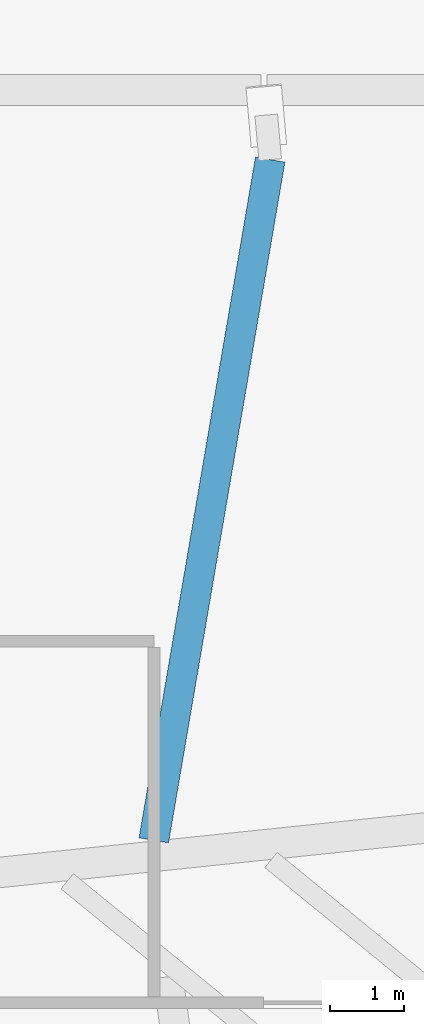
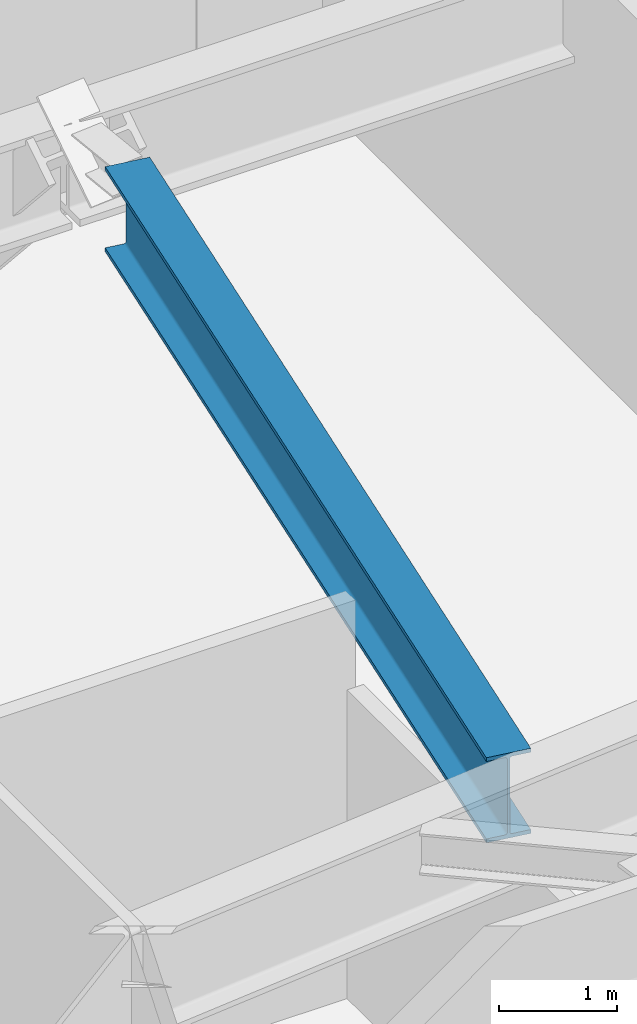
# One storey, part 9 of 29: 1 beam.
"""IFC4 building model written with IfcOpenShell, lengths in metres."""

from ifc_helpers import new_model, si_unit, direction, frame, origin, origin_2d, place, context, subcontext, project, spatial, i_section, extrude, source, transform, mapped, material, material_profile, profile_set, type_object, type_shapes, element, save


model = new_model("IFC4")

# Units and contexts
model_context = context("Model", 3, precision=1e-05, world=origin(), true_north=direction((0.0, 1.0)))
body_context = subcontext(model_context, "Body", "Model", "MODEL_VIEW")
ifc_project = project(units=[si_unit("LENGTHUNIT", "METRE"), si_unit("AREAUNIT", "SQUARE_METRE"), si_unit("VOLUMEUNIT", "CUBIC_METRE"), si_unit("PLANEANGLEUNIT", "RADIAN"), si_unit("MASSUNIT", "GRAM", prefix="KILO")], contexts=[model_context])

# Site, building, storey
site_placement = place(None, origin())
site = spatial("IfcSite", under=ifc_project, at=site_placement, CompositionType="ELEMENT")
building_placement = place(site_placement, origin())
building = spatial("IfcBuilding", under=site, at=building_placement, Name="Astriad Promenade Condominiums", CompositionType="ELEMENT")
storey_placement = place(building_placement, frame((0.0, 0.0, 18.5)))
storey = spatial("IfcBuildingStorey", under=building, at=storey_placement, Name="L04", CompositionType="ELEMENT", Elevation=18.5)

# Beam
ifc_material = material(Name="Steel ASTM A992 Grade 50", Category="steel")
ifc_material_profile = material_profile(ifc_material, i_section(OverallWidth=0.4013671875, OverallDepth=0.877197265625, WebThickness=0.022216796875, FlangeThickness=0.039794921875, FilletRadius=0.02294921875, at=origin_2d()), Name="W33X263")
ifc_profile_set = profile_set([ifc_material_profile], Name="Steel ASTM A992 Grade 50")
beam_type = type_object("IfcBeamType", Name="STEEL TRANSFER CARRIER GIRDER W33X263", PredefinedType="BEAM", material=ifc_profile_set)
shared_shape = source(origin(), body_context, "Body", "SweptSolid", [
    extrude(i_section(OverallWidth=0.4013671875, OverallDepth=0.877197265625, WebThickness=0.022216796875, FlangeThickness=0.039794921875, FilletRadius=0.02294921875, at=origin_2d()), origin(), (0.0, 0.0, 1.0), 9.283447265625),
])
type_shapes(beam_type, [shared_shape])
beam_placement = place(storey_placement, frame((19.57666015625, 16.903076171875, 3.641357421875), z_axis=(0.168572558784, 0.985689247392, 0.0), x_axis=(-0.985689247392, 0.168572558784, 0.0)))
element("IfcBeam", 1, at=beam_placement, inside=storey, type_object=beam_type, Name="Transfer Splice Carrier TRM-SP-PC07-L04", PredefinedType="BEAM", context=body_context, shape_type="MappedRepresentation", body=[
    mapped(shared_shape, transform((0.0, 0.0, 0.0), scale=1.0)),
])

save(model, "model.ifc")
